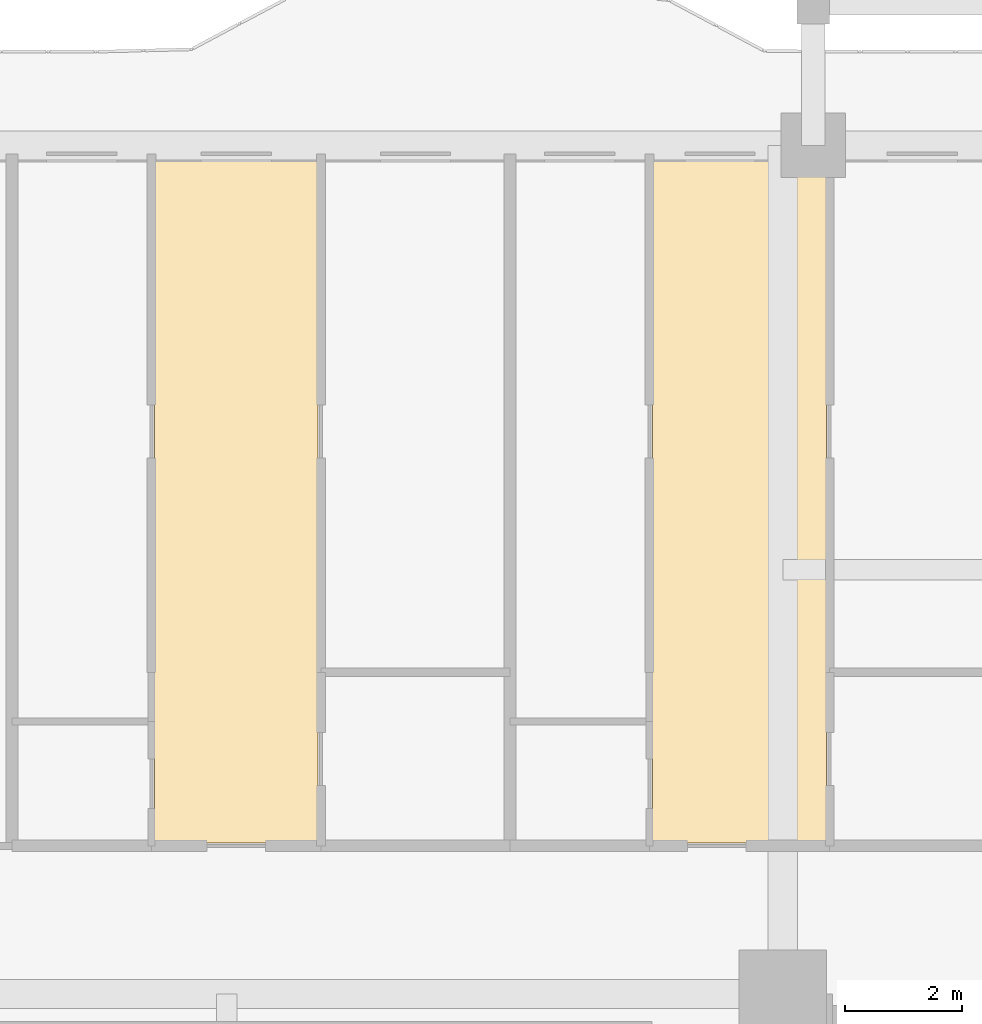
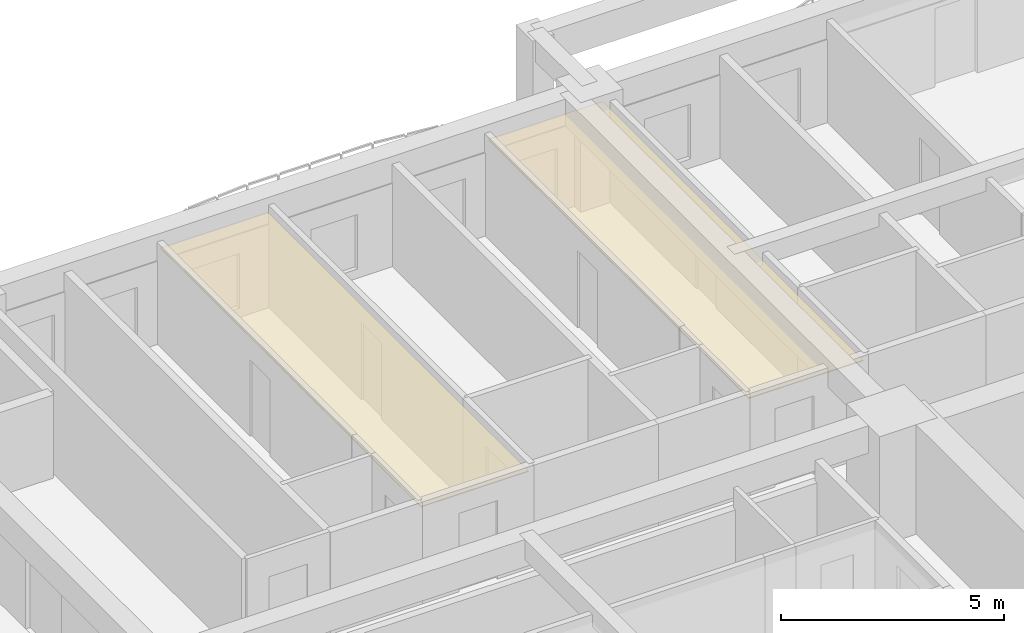
# One storey, part 15 of 16: 2 coverings.
"""IFC4 building model written with IfcOpenShell, lengths in metres."""

from ifc_helpers import new_model, si_unit, direction, frame, origin, place, context, subcontext, project, spatial, polyline, outline, extrude, material, layer, layer_set, type_object, element, save


model = new_model("IFC4")

# Units and contexts
model_context = context("Model", 3, precision=1e-05, world=origin(), true_north=direction((0.0, 1.0)))
body_context = subcontext(model_context, "Body", "Model", "MODEL_VIEW")
ifc_project = project(units=[si_unit("LENGTHUNIT", "METRE"), si_unit("AREAUNIT", "SQUARE_METRE"), si_unit("VOLUMEUNIT", "CUBIC_METRE"), si_unit("PLANEANGLEUNIT", "RADIAN"), si_unit("MASSUNIT", "GRAM", prefix="KILO")], contexts=[model_context])

# Site, building, storey
site_placement = place(None, origin())
site = spatial("IfcSite", under=ifc_project, at=site_placement, CompositionType="ELEMENT")
building_placement = place(site_placement, origin())
building = spatial("IfcBuilding", under=site, at=building_placement, Name="Saelheon Loggia Tower", CompositionType="ELEMENT")
storey_placement = place(building_placement, frame((0.0, 0.0, 55.39990234375)))
storey = spatial("IfcBuildingStorey", under=building, at=storey_placement, Name="L17", CompositionType="ELEMENT", Elevation=55.39990234375)

# Coverings
ifc_material = material(Name="Mineral-Fibre Acoustic Ceiling Board", Category="gypsum")
ifc_layer = layer(ifc_material, 0.02490234375)
ifc_layer_set = layer_set([ifc_layer], Name="Mineral-Fibre Acoustic Ceiling Board")
covering_type = type_object("IfcCoveringType", Name="Cov_Ceiling_Acoustic", PredefinedType="CEILING", material=ifc_layer_set)
covering_1_placement = place(storey_placement, frame((0.0, 0.0, 2.53515625)))
element("IfcCovering", 1, at=covering_1_placement, inside=storey, type_object=covering_type, Name="L17 Acoustic Suspended Ceiling", PredefinedType="CEILING", context=body_context, shape_type="SweptSolid", body=[
    extrude(outline(polyline([(20.259521484375, 39.10009765625), (23.048828125, 39.10009765625), (23.048828125, 50.800048828125), (20.259521484375, 50.800048828125), (20.259521484375, 39.10009765625)])), origin(), (0.0, 0.0, 1.0), 0.02490234375),
])
covering_2_placement = place(storey_placement, frame((0.0, 0.0, 2.53515625)))
element("IfcCovering", 2, at=covering_2_placement, inside=storey, type_object=covering_type, Name="L17 Acoustic Suspended Ceiling", PredefinedType="CEILING", context=body_context, shape_type="SweptSolid", body=[
    extrude(outline(polyline([(28.75732421875, 39.10009765625), (31.72998046875, 39.10009765625), (31.72998046875, 50.800048828125), (28.75732421875, 50.800048828125), (28.75732421875, 39.10009765625)])), origin(), (0.0, 0.0, 1.0), 0.02490234375),
])

save(model, "model.ifc")
